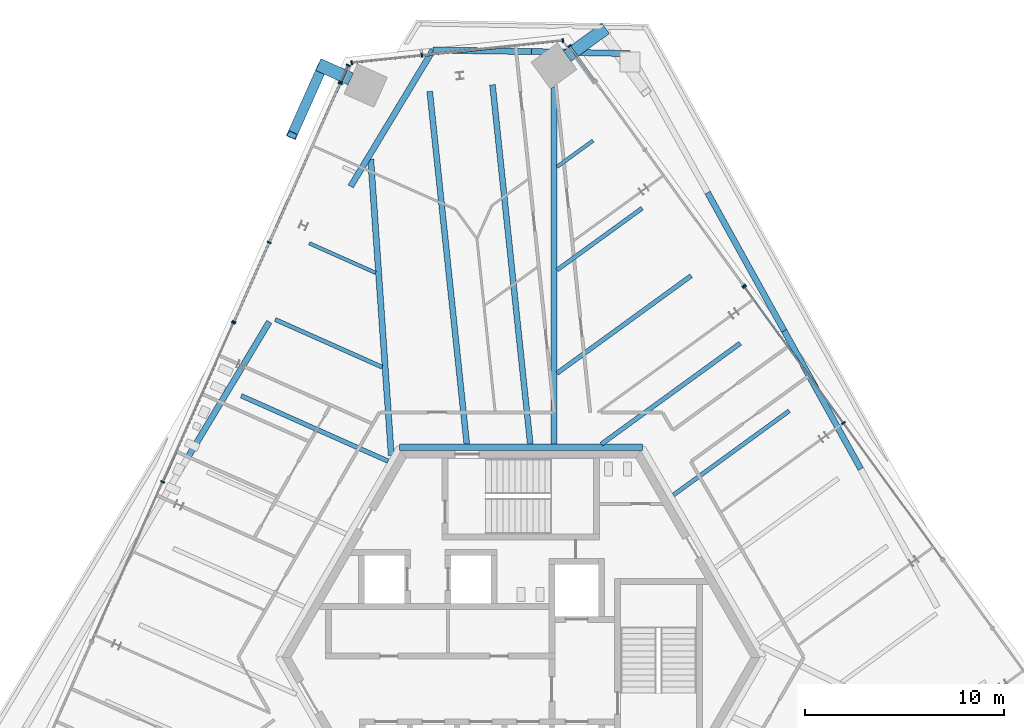
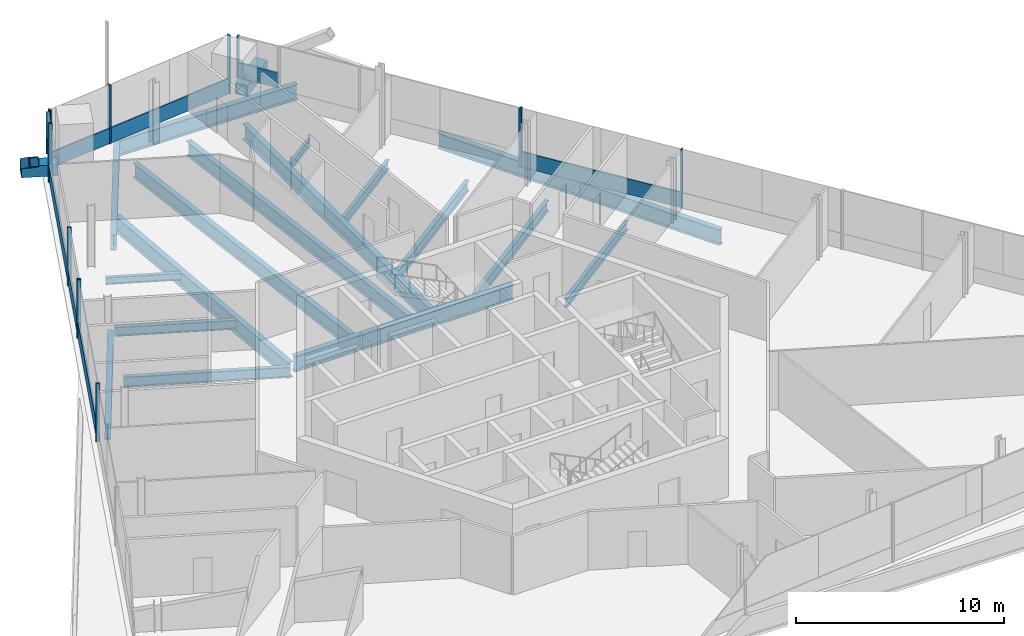
# One storey, part 8 of 21: 25 members, 19 beams, 7 elements without a shape of their own.
"""IFC4 building model written with IfcOpenShell, lengths in metres."""

import ifcopenshell
import ifcopenshell.guid

model = None  # the IFC model being written
_history = None  # IfcOwnerHistory: only IFC2X3 demands one
_inside = {}  # id of a spatial element -> (the spatial element, [elements in it])
_under = {}  # id of a project, library or spatial element -> (it, [spatial elements below it])
_declared = {}  # id of a project -> (the project, [libraries it declares])
_typed = {}  # id of a type object -> (the type object, [elements of that type])
_made_of = {}  # id of a material, layer set ... -> (it, [elements and type objects made of it])


def new_model(schema):
    """Start an empty IFC model of exactly this schema.

    Asked for "IFC4X3", IfcOpenShell would pick the latest addendum, in which some entities
    have other attributes; the version numbers below select the first issue.
    IFC2X3 requires an IfcOwnerHistory on every rooted entity: one is made here for all.
    """
    global model, _history
    if schema == "IFC4X3":
        model = ifcopenshell.file(schema_version=(4, 3, 0, 0))
    else:
        model = ifcopenshell.file(schema=schema)
    _inside.clear()
    _under.clear()
    _declared.clear()
    _typed.clear()
    _made_of.clear()
    _history = None
    if model.schema == "IFC2X3":
        org = make("IfcOrganization", Name="unknown")
        user = make(
            "IfcPersonAndOrganization",
            ThePerson=make("IfcPerson", FamilyName="unknown"),
            TheOrganization=org,
        )
        app = make(
            "IfcApplication",
            ApplicationDeveloper=org,
            Version="unknown",
            ApplicationFullName="unknown",
            ApplicationIdentifier="unknown",
        )
        _history = make(
            "IfcOwnerHistory",
            OwningUser=user,
            OwningApplication=app,
            ChangeAction="ADDED",
            CreationDate=0,
        )
    return model


def make(cls, **values):
    """One entity of the class cls with the attributes given. An attribute that is None is left unset."""
    return model.create_entity(
        cls, **{name: value for name, value in values.items() if value is not None}
    )


def rooted(cls, **values):
    """An entity with a GlobalId (a new one), such as an element, a storey or a relation."""
    return make(cls, GlobalId=ifcopenshell.guid.new(), OwnerHistory=_history, **values)


def si_unit(unit_type, name, prefix=None):
    """IfcSIUnit, for example si_unit("LENGTHUNIT", "METRE", prefix="MILLI")."""
    return make("IfcSIUnit", UnitType=unit_type, Prefix=prefix, Name=name)


def assignment(units):
    """IfcUnitAssignment: the units of a project."""
    return None if units is None else make("IfcUnitAssignment", Units=units)


def point(xyz):
    """IfcCartesianPoint."""
    return None if xyz is None else make("IfcCartesianPoint", Coordinates=xyz)


def direction(xyz):
    """IfcDirection."""
    return None if xyz is None else make("IfcDirection", DirectionRatios=xyz)


def frame(location, z_axis=None, x_axis=None):
    """IfcAxis2Placement3D, a coordinate frame: its origin and axes. An axis left out is left unset."""
    return make(
        "IfcAxis2Placement3D",
        Location=point(location),
        Axis=direction(z_axis),
        RefDirection=direction(x_axis),
    )


def frame_2d(location, x_axis=None):
    """IfcAxis2Placement2D, a coordinate frame in the plane: its origin and x axis."""
    return make(
        "IfcAxis2Placement2D", Location=point(location), RefDirection=direction(x_axis)
    )


def origin():
    """The frame at (0, 0, 0) with its axes left unset."""
    return frame((0.0, 0.0, 0.0))


def origin_2d():
    """The frame at (0, 0) in the plane with its x axis left unset."""
    return frame_2d((0.0, 0.0))


def place(relative_to, where):
    """IfcLocalPlacement: puts the frame where relative to a parent placement (None: the world)."""
    return make(
        "IfcLocalPlacement", PlacementRelTo=relative_to, RelativePlacement=where
    )


def context(
    kind, dimensions, precision=None, world=None, true_north=None, identifier=None
):
    """IfcGeometricRepresentationContext, for example the 3D "Model" context."""
    return make(
        "IfcGeometricRepresentationContext",
        ContextIdentifier=identifier,
        ContextType=kind,
        CoordinateSpaceDimension=dimensions,
        Precision=precision,
        WorldCoordinateSystem=world,
        TrueNorth=true_north,
    )


def subcontext(parent, identifier, kind, view, scale=None):
    """IfcGeometricRepresentationSubContext, for example "Body" below "Model"."""
    return make(
        "IfcGeometricRepresentationSubContext",
        ContextIdentifier=identifier,
        ContextType=kind,
        ParentContext=parent,
        TargetScale=scale,
        TargetView=view,
    )


def project(units=None, contexts=None):
    """IfcProject with its units and contexts."""
    return rooted(
        "IfcProject",
        Name="project",
        RepresentationContexts=contexts,
        UnitsInContext=assignment(units),
    )


def spatial(cls, under=None, at=None, **own):
    """A site, building, storey or space (cls), placed at a placement, below another one or the project."""
    s = rooted(cls, ObjectPlacement=at, **own)
    if under is not None:
        _under.setdefault(under.id(), (under, []))[1].append(s)
    return s


def profile(cls, at=None, kind="AREA", **sizes):
    """A parametric profile (cls). Its sizes go by their IFC names, for example OverallWidth=200.0."""
    return make(cls, ProfileType=kind, Position=at, **sizes)


def rectangle(**sizes):
    """IfcRectangleProfileDef."""
    return profile("IfcRectangleProfileDef", **sizes)


def hollow_rectangle(**sizes):
    """IfcRectangleHollowProfileDef."""
    return profile("IfcRectangleHollowProfileDef", **sizes)


def i_section(**sizes):
    """IfcIShapeProfileDef."""
    return profile("IfcIShapeProfileDef", **sizes)


def extrude(swept, where, along, depth):
    """IfcExtrudedAreaSolid: the profile swept, set in the frame where, extruded along a direction by depth."""
    return make(
        "IfcExtrudedAreaSolid",
        SweptArea=swept,
        Position=where,
        ExtrudedDirection=direction(along),
        Depth=depth,
    )


def shape(context_of_items, identifier, shape_type, items):
    """IfcShapeRepresentation: the items that make up one representation, for example the "Body"."""
    return make(
        "IfcShapeRepresentation",
        ContextOfItems=context_of_items,
        RepresentationIdentifier=identifier,
        RepresentationType=shape_type,
        Items=items,
    )


def source(mapping_origin, context_of_items, identifier, shape_type, items):
    """IfcRepresentationMap: a shape defined once, which mapped items show again and again."""
    return make(
        "IfcRepresentationMap",
        MappingOrigin=mapping_origin,
        MappedRepresentation=shape(context_of_items, identifier, shape_type, items),
    )


def transform(
    local_origin,
    x_axis=None,
    y_axis=None,
    z_axis=None,
    scale=None,
    scale2=None,
    scale3=None,
    uniform=True,
):
    """IfcCartesianTransformationOperator3D, or its non-uniform kind. x_axis, y_axis, z_axis: its Axis1, 2, 3."""
    if uniform:
        return make(
            "IfcCartesianTransformationOperator3D",
            Axis1=direction(x_axis),
            Axis2=direction(y_axis),
            LocalOrigin=point(local_origin),
            Scale=scale,
            Axis3=direction(z_axis),
        )
    return make(
        "IfcCartesianTransformationOperator3DnonUniform",
        Axis1=direction(x_axis),
        Axis2=direction(y_axis),
        LocalOrigin=point(local_origin),
        Scale=scale,
        Axis3=direction(z_axis),
        Scale2=scale2,
        Scale3=scale3,
    )


def mapped(mapping_source, mapping_target):
    """IfcMappedItem: shows the shape of a source again, moved by a transform."""
    return make(
        "IfcMappedItem", MappingSource=mapping_source, MappingTarget=mapping_target
    )


def material(Name=None, Category=None):
    """IfcMaterial."""
    return make("IfcMaterial", Name=Name, Category=Category)


def material_profile(
    of_material, cross_section, Name=None, Category=None, Priority=None
):
    """IfcMaterialProfile: a cross section and its material."""
    return make(
        "IfcMaterialProfile",
        Name=Name,
        Material=of_material,
        Profile=cross_section,
        Priority=Priority,
        Category=Category,
    )


def profile_set(profiles, Name=None, composite=None):
    """IfcMaterialProfileSet."""
    return make(
        "IfcMaterialProfileSet",
        Name=Name,
        MaterialProfiles=profiles,
        CompositeProfile=composite,
    )


def made_of(thing, what):
    """Note that an element or type object is made of a material, layer set ...; save() writes the relation."""
    if what is not None:
        _made_of.setdefault(what.id(), (what, []))[1].append(thing)
    return thing


def type_object(cls, material=None, **own):
    """A type object (cls), such as IfcWallType, which elements share."""
    return made_of(rooted(cls, **own), material)


def element(
    cls,
    number,
    at=None,
    inside=None,
    cuts=None,
    type_object=None,
    material=None,
    context=None,
    identifier="Body",
    shape_type=None,
    held_by="IfcProductDefinitionShape",
    body=None,
    shapes=None,
    **own,
):
    """One element of the class cls, such as IfcWall. Its Tag is "e" and its number.

    at: its placement. inside: the storey or other place that contains it. cuts: it is an
    opening in that element (IfcRelVoidsElement). A single representation is given by context,
    identifier, shape_type and body (its items); several are given by shapes. held_by: the class
    of the entity that holds the representations. save() writes the other relations.
    """
    e = rooted(cls, Tag="e%d" % number, ObjectPlacement=at, **own)
    if body is not None:
        shapes = [shape(context, identifier, shape_type, body)]
    if shapes is not None:
        e.Representation = make(held_by, Representations=shapes)
    if inside is not None:
        _inside.setdefault(inside.id(), (inside, []))[1].append(e)
    if cuts is not None:
        rooted(
            "IfcRelVoidsElement", RelatingBuildingElement=cuts, RelatedOpeningElement=e
        )
    if type_object is not None:
        _typed.setdefault(type_object.id(), (type_object, []))[1].append(e)
    return made_of(e, material)


def aggregate(whole, parts):
    """IfcRelAggregates: a whole, such as a stair, and the parts it consists of."""
    return rooted("IfcRelAggregates", RelatingObject=whole, RelatedObjects=parts)


def save(model, path):
    """Write the relations noted so far, then the file.

    IfcRelAggregates (storeys below a building ...), IfcRelContainedInSpatialStructure (elements
    in a storey), IfcRelDefinesByType, IfcRelAssociatesMaterial and IfcRelDeclares: one each for
    every whole, place, type object, material and project.
    """
    for whole, parts in _under.values():
        aggregate(whole, parts)
    for where, things in _inside.values():
        rooted(
            "IfcRelContainedInSpatialStructure",
            RelatedElements=things,
            RelatingStructure=where,
        )
    for kind, things in _typed.values():
        rooted("IfcRelDefinesByType", RelatedObjects=things, RelatingType=kind)
    for what, things in _made_of.values():
        rooted("IfcRelAssociatesMaterial", RelatedObjects=things, RelatingMaterial=what)
    for by, libraries in _declared.values():
        rooted("IfcRelDeclares", RelatingContext=by, RelatedDefinitions=libraries)
    model.write(path)


model = new_model("IFC4")

# Units and contexts
model_context = context("Model", 3, precision=1e-05, world=origin(), true_north=direction((0.0, 1.0)))
body_context = subcontext(model_context, "Body", "Model", "MODEL_VIEW")
ifc_project = project(units=[si_unit("LENGTHUNIT", "METRE"), si_unit("AREAUNIT", "SQUARE_METRE"), si_unit("VOLUMEUNIT", "CUBIC_METRE"), si_unit("PLANEANGLEUNIT", "RADIAN"), si_unit("MASSUNIT", "GRAM", prefix="KILO")], contexts=[model_context])

# Site, building, storey
site_placement = place(None, origin())
site = spatial("IfcSite", under=ifc_project, at=site_placement, CompositionType="ELEMENT")
building_placement = place(site_placement, origin())
building = spatial("IfcBuilding", under=site, at=building_placement, Name="Triune Harvest Tower", CompositionType="ELEMENT")
storey_placement = place(building_placement, frame((0.0, 0.0, 219.699951171875)))
storey = spatial("IfcBuildingStorey", under=building, at=storey_placement, Name="L57", CompositionType="ELEMENT", Elevation=219.699951171875)

# Beams
ifc_material_1 = material(Name="Steel ASTM A992 Gr 50", Category="steel")
ifc_material_profile_1 = material_profile(ifc_material_1, i_section(OverallWidth=0.3046875, OverallDepth=0.914306640625, WebThickness=0.0166015625, FlangeThickness=0.02587890625, at=origin_2d()), Name="W36x160")
ifc_profile_set_1 = profile_set([ifc_material_profile_1], Name="Steel ASTM A992 Gr 50")
beam_type_1 = type_object("IfcBeamType", Name="HG-3 Hip girder W36x160", PredefinedType="BEAM", material=ifc_profile_set_1)
beam_1_placement = place(storey_placement, frame((-7.537841796875, 25.00390625, -0.6171875), z_axis=(0.069122846378, -0.997608155594, 0.0), x_axis=(0.997608155594, 0.069122846378, 0.0)))
element("IfcBeam", 1, at=beam_1_placement, inside=storey, type_object=beam_type_1, Name="beam/L57/HG4", PredefinedType="BEAM", context=body_context, shape_type="SweptSolid", body=[
    extrude(i_section(OverallWidth=0.3046875, OverallDepth=0.914306640625, WebThickness=0.0166015625, FlangeThickness=0.02587890625, at=origin_2d()), origin(), (0.0, 0.0, 1.0), 14.91552734375),
])
ifc_material_2 = material(Name="Steel ASTM A992 Gr 50", Category="steel")
ifc_material_profile_2 = material_profile(ifc_material_2, i_section(OverallWidth=0.2099609375, OverallDepth=0.535888671875, WebThickness=0.010986328125, FlangeThickness=0.017333984375, at=origin_2d()), Name="W21x68")
ifc_profile_set_2 = profile_set([ifc_material_profile_2], Name="Steel ASTM A992 Gr 50")
beam_type_2 = type_object("IfcBeamType", Name="JT-2 Floor joist W21x68", PredefinedType="JOIST", material=ifc_profile_set_2)
beam_2_placement = place(storey_placement, frame((6.076904296875, 22.53662109375, -0.427978515625), z_axis=(-0.809046289155, -0.587744929374, 0.0), x_axis=(0.587744929374, -0.809046289155, 0.0)))
element("IfcBeam", 2, at=beam_2_placement, inside=storey, type_object=beam_type_2, Name="beam/L57/JT9", PredefinedType="JOIST", context=body_context, shape_type="SweptSolid", body=[
    extrude(i_section(OverallWidth=0.2099609375, OverallDepth=0.535888671875, WebThickness=0.010986328125, FlangeThickness=0.017333984375, at=origin_2d()), origin(), (0.0, 0.0, 1.0), 5.2734375),
])
ifc_material_3 = material(Name="Steel ASTM A992 Gr 50", Category="steel")
ifc_material_profile_3 = material_profile(ifc_material_3, i_section(OverallWidth=0.3046875, OverallDepth=0.914306640625, WebThickness=0.0166015625, FlangeThickness=0.02587890625, at=origin_2d()), Name="W36x160")
ifc_profile_set_3 = profile_set([ifc_material_profile_3], Name="Steel ASTM A992 Gr 50")
beam_type_3 = type_object("IfcBeamType", Name="SB-1 Spandrel beam W36x160", PredefinedType="SPANDREL", material=ifc_profile_set_3)
beam_3_placement = place(storey_placement, frame((17.05078125, 9.451416015625, -0.6171875), z_axis=(-0.484826855234, 0.874610153408, 0.0), x_axis=(-0.874610153408, -0.484826855234, 0.0)))
element("IfcBeam", 3, at=beam_3_placement, inside=storey, type_object=beam_type_3, Name="beam/L57/WB3", PredefinedType="SPANDREL", context=body_context, shape_type="SweptSolid", body=[
    extrude(i_section(OverallWidth=0.3046875, OverallDepth=0.914306640625, WebThickness=0.0166015625, FlangeThickness=0.02587890625, at=origin_2d()), origin(), (0.0, 0.0, 1.0), 7.927001953125),
])
beam_4_placement = place(storey_placement, frame((-12.627685546875, 16.835693359375, -0.6171875), z_axis=(-0.5150210223, -0.857177546713, 0.0), x_axis=(0.857177546713, -0.5150210223, 0.0)))
element("IfcBeam", 4, at=beam_4_placement, inside=storey, type_object=beam_type_3, Name="beam/L57/WB9", PredefinedType="SPANDREL", context=body_context, shape_type="SweptSolid", body=[
    extrude(i_section(OverallWidth=0.3046875, OverallDepth=0.914306640625, WebThickness=0.0166015625, FlangeThickness=0.02587890625, at=origin_2d()), origin(), (0.0, 0.0, 1.0), 7.927490234375),
])
ifc_material_4 = material(Name="Steel ASTM A992 Gr 50", Category="steel")
ifc_material_profile_4 = material_profile(ifc_material_4, i_section(OverallWidth=0.3046875, OverallDepth=0.914306640625, WebThickness=0.0166015625, FlangeThickness=0.02587890625, at=origin_2d()), Name="W36x160")
ifc_profile_set_4 = profile_set([ifc_material_profile_4], Name="Steel ASTM A992 Gr 50")
beam_type_4 = type_object("IfcBeamType", Name="CG-1 Core ring girder W36x160", PredefinedType="BEAM", material=ifc_profile_set_4)
shared_shape_1 = source(origin(), body_context, "Body", "SweptSolid", [
    extrude(i_section(OverallWidth=0.3046875, OverallDepth=0.914306640625, WebThickness=0.0166015625, FlangeThickness=0.02587890625, at=origin_2d()), origin(), (0.0, 0.0, 1.0), 12.17578125),
])
beam_5_placement = place(storey_placement, frame((6.087890625, 10.544677734375, -0.6171875), z_axis=(-1.0, 0.0, 0.0), x_axis=(0.0, -1.0, 0.0)))
element("IfcBeam", 5, at=beam_5_placement, inside=storey, type_object=beam_type_4, Name="beam/L57/CG2", PredefinedType="BEAM", context=body_context, shape_type="MappedRepresentation", body=[
    mapped(shared_shape_1, transform((0.0, 0.0, 0.0), scale=1.0)),
])
shared_shape_2 = source(origin(), body_context, "Body", "SweptSolid", [
    extrude(i_section(OverallWidth=0.3046875, OverallDepth=0.914306640625, WebThickness=0.0166015625, FlangeThickness=0.02587890625, at=origin_2d()), origin(), (0.0, 0.0, 1.0), 7.92724609375),
])
beam_6_placement = place(storey_placement, frame((13.20751953125, 16.384521484375, -0.6171875), z_axis=(-0.48481379599, 0.874617392474, 0.0), x_axis=(-0.874617392474, -0.48481379599, 0.0)))
element("IfcBeam", 6, at=beam_6_placement, inside=storey, type_object=beam_type_3, Name="beam/L57/WB4", PredefinedType="SPANDREL", context=body_context, shape_type="MappedRepresentation", body=[
    mapped(shared_shape_2, transform((0.0, 0.0, 0.0), scale=1.0)),
])
shared_shape_3 = source(origin(), body_context, "Body", "SweptSolid", [
    extrude(i_section(OverallWidth=0.3046875, OverallDepth=0.914306640625, WebThickness=0.0166015625, FlangeThickness=0.02587890625, at=origin_2d()), origin(), (0.0, 0.0, 1.0), 7.9873046875),
])
beam_7_placement = place(storey_placement, frame((-4.417236328125, 30.46875, -0.6171875), z_axis=(-0.51677738247, -0.85611981461, 0.0), x_axis=(0.85611981461, -0.51677738247, 0.0)))
element("IfcBeam", 7, at=beam_7_placement, inside=storey, type_object=beam_type_3, Name="beam/L57/WB8", PredefinedType="SPANDREL", context=body_context, shape_type="MappedRepresentation", body=[
    mapped(shared_shape_3, transform((0.0, 0.0, 0.0), scale=1.0)),
])
shared_shape_4 = source(origin(), body_context, "Body", "SweptSolid", [
    extrude(i_section(OverallWidth=0.3046875, OverallDepth=0.914306640625, WebThickness=0.0166015625, FlangeThickness=0.02587890625, at=origin_2d()), origin(), (0.0, 0.0, 1.0), 4.9482421875),
])
for number, where, z_axis, x_axis, name in (
    (8, (5.477783203125, 30.2958984375, -0.6171875), (-0.999785277115, 0.020721960935, 0.0), (-0.020721960935, -0.999785277115, 0.0), "beam/L57/WB6"),
    (9, (0.530517578125, 30.3984375, -0.6171875), (-0.99989903912, 0.014209559028, 0.0), (-0.014209559028, -0.99989903912, 0.0), "beam/L57/WB7"),
):
    element("IfcBeam", number, at=place(storey_placement, frame(where, z_axis=z_axis, x_axis=x_axis)), inside=storey, type_object=beam_type_3, Name=name, PredefinedType="SPANDREL", context=body_context, shape_type="MappedRepresentation", body=[
        mapped(shared_shape_4, transform((0.0, 0.0, 0.0), scale=1.0)),
    ])
shared_shape_5 = source(origin(), body_context, "Body", "SweptSolid", [
    extrude(i_section(OverallWidth=0.3046875, OverallDepth=0.914306640625, WebThickness=0.0166015625, FlangeThickness=0.02587890625, at=origin_2d()), origin(), (0.0, 0.0, 1.0), 17.92138671875),
])
beam_8_placement = place(storey_placement, frame((1.658203125, 28.618408203125, -0.6171875), z_axis=(0.0, -1.0, 0.0), x_axis=(1.0, 0.0, 0.0)))
element("IfcBeam", 10, at=beam_8_placement, inside=storey, type_object=beam_type_1, Name="beam/L57/HG3", PredefinedType="BEAM", context=body_context, shape_type="MappedRepresentation", body=[
    mapped(shared_shape_5, transform((0.0, 0.0, 0.0), scale=1.0)),
])
ifc_material_5 = material(Name="Steel ASTM A992 Gr 50", Category="steel")
ifc_material_profile_5 = material_profile(ifc_material_5, i_section(OverallWidth=0.180908203125, OverallDepth=0.41650390625, WebThickness=0.010986328125, FlangeThickness=0.01806640625, at=origin_2d()), Name="W16x57")
ifc_profile_set_5 = profile_set([ifc_material_profile_5], Name="Steel ASTM A992 Gr 50")
beam_type_5 = type_object("IfcBeamType", Name="JT-1 Floor joist W16x57", PredefinedType="JOIST", material=ifc_profile_set_5)
shared_shape_6 = source(origin(), body_context, "Body", "SweptSolid", [
    extrude(i_section(OverallWidth=0.180908203125, OverallDepth=0.41650390625, WebThickness=0.010986328125, FlangeThickness=0.01806640625, at=origin_2d()), origin(), (0.0, 0.0, 1.0), 3.650146484375),
])
beam_9_placement = place(storey_placement, frame((-10.629638671875, 20.78076171875, -0.3681640625), z_axis=(0.913543802, -0.40674036169, 0.0), x_axis=(0.40674036169, 0.913543802, 0.0)))
element("IfcBeam", 11, at=beam_9_placement, inside=storey, type_object=beam_type_5, Name="beam/L57/JT14", PredefinedType="JOIST", context=body_context, shape_type="MappedRepresentation", body=[
    mapped(shared_shape_6, transform((0.0, 0.0, 0.0), scale=1.0)),
])
shared_shape_7 = source(origin(), body_context, "Body", "SweptSolid", [
    extrude(i_section(OverallWidth=0.2099609375, OverallDepth=0.535888671875, WebThickness=0.010986328125, FlangeThickness=0.017333984375, at=origin_2d()), origin(), (0.0, 0.0, 1.0), 5.873779296875),
])
beam_10_placement = place(storey_placement, frame((-12.333251953125, 16.9541015625, -0.427978515625), z_axis=(0.913555979203, -0.406713010442, 0.0), x_axis=(0.406713010442, 0.913555979203, 0.0)))
element("IfcBeam", 12, at=beam_10_placement, inside=storey, type_object=beam_type_2, Name="beam/L57/JT15", PredefinedType="JOIST", context=body_context, shape_type="MappedRepresentation", body=[
    mapped(shared_shape_7, transform((0.0, 0.0, 0.0), scale=1.0)),
])
ifc_material_6 = material(Name="Steel ASTM A992 Gr 50", Category="steel")
ifc_material_profile_6 = material_profile(ifc_material_6, i_section(OverallWidth=0.22900390625, OverallDepth=0.612060546875, WebThickness=0.011962890625, FlangeThickness=0.01953125, at=origin_2d()), Name="W24x84")
ifc_profile_set_6 = profile_set([ifc_material_profile_6], Name="Steel ASTM A992 Gr 50")
beam_type_6 = type_object("IfcBeamType", Name="JT-3 Floor joist W24x84", PredefinedType="JOIST", material=ifc_profile_set_6)
shared_shape_8 = source(origin(), body_context, "Body", "SweptSolid", [
    extrude(i_section(OverallWidth=0.22900390625, OverallDepth=0.612060546875, WebThickness=0.011962890625, FlangeThickness=0.01953125, at=origin_2d()), origin(), (0.0, 0.0, 1.0), 8.0673828125),
])
beam_11_placement = place(storey_placement, frame((-14.037109375, 13.12744140625, -0.466064453125), z_axis=(0.913546788169, -0.406733654652, 0.0), x_axis=(0.406733654652, 0.913546788169, 0.0)))
element("IfcBeam", 13, at=beam_11_placement, inside=storey, type_object=beam_type_6, Name="beam/L57/JT16", PredefinedType="JOIST", context=body_context, shape_type="MappedRepresentation", body=[
    mapped(shared_shape_8, transform((0.0, 0.0, 0.0), scale=1.0)),
])
shared_shape_9 = source(origin(), body_context, "Body", "SweptSolid", [
    extrude(i_section(OverallWidth=0.2099609375, OverallDepth=0.535888671875, WebThickness=0.010986328125, FlangeThickness=0.017333984375, at=origin_2d()), origin(), (0.0, 0.0, 1.0), 7.186767578125),
])
beam_12_placement = place(storey_placement, frame((13.463134765625, 12.370361328125, -0.427978515625), z_axis=(-0.809010699188, -0.587793916777, 0.0), x_axis=(0.587793916777, -0.809010699188, 0.0)))
element("IfcBeam", 14, at=beam_12_placement, inside=storey, type_object=beam_type_2, Name="beam/L57/JT6", PredefinedType="JOIST", context=body_context, shape_type="MappedRepresentation", body=[
    mapped(shared_shape_9, transform((0.0, 0.0, 0.0), scale=1.0)),
])
shared_shape_10 = source(origin(), body_context, "Body", "SweptSolid", [
    extrude(i_section(OverallWidth=0.22900390625, OverallDepth=0.612060546875, WebThickness=0.011962890625, FlangeThickness=0.01953125, at=origin_2d()), origin(), (0.0, 0.0, 1.0), 8.612060546875),
])
beam_13_placement = place(storey_placement, frame((11.0009765625, 15.759033203125, -0.466064453125), z_axis=(-0.809017946974, -0.587783941151, 0.0), x_axis=(0.587783941151, -0.809017946974, 0.0)))
element("IfcBeam", 15, at=beam_13_placement, inside=storey, type_object=beam_type_6, Name="beam/L57/JT7", PredefinedType="JOIST", context=body_context, shape_type="MappedRepresentation", body=[
    mapped(shared_shape_10, transform((0.0, 0.0, 0.0), scale=1.0)),
])
shared_shape_11 = source(origin(), body_context, "Body", "SweptSolid", [
    extrude(i_section(OverallWidth=0.22900390625, OverallDepth=0.612060546875, WebThickness=0.011962890625, FlangeThickness=0.01953125, at=origin_2d()), origin(), (0.0, 0.0, 1.0), 8.316650390625),
])
beam_14_placement = place(storey_placement, frame((8.538818359375, 19.14794921875, -0.466064453125), z_axis=(-0.809014000467, -0.587789373031, 0.0), x_axis=(0.587789373031, -0.809014000467, 0.0)))
element("IfcBeam", 16, at=beam_14_placement, inside=storey, type_object=beam_type_6, Name="beam/L57/JT8", PredefinedType="JOIST", context=body_context, shape_type="MappedRepresentation", body=[
    mapped(shared_shape_11, transform((0.0, 0.0, 0.0), scale=1.0)),
])
shared_shape_12 = source(origin(), body_context, "Body", "SweptSolid", [
    extrude(i_section(OverallWidth=0.180908203125, OverallDepth=0.41650390625, WebThickness=0.010986328125, FlangeThickness=0.01806640625, at=origin_2d()), origin(), (0.0, 0.0, 1.0), 2.22998046875),
])
beam_15_placement = place(storey_placement, frame((3.61474609375, 25.925537109375, -0.3681640625), z_axis=(-0.809024765736, -0.587774555783, 0.0), x_axis=(0.587774555783, -0.809024765736, 0.0)))
element("IfcBeam", 17, at=beam_15_placement, inside=storey, type_object=beam_type_5, Name="beam/L57/JT10", PredefinedType="JOIST", context=body_context, shape_type="MappedRepresentation", body=[
    mapped(shared_shape_12, transform((0.0, 0.0, 0.0), scale=1.0)),
])
ifc_material_7 = material(Name="Steel ASTM A992 Gr 50", Category="steel")
ifc_material_profile_7 = material_profile(ifc_material_7, i_section(OverallWidth=0.2919921875, OverallDepth=0.8408203125, WebThickness=0.0146484375, FlangeThickness=0.021728515625, at=origin_2d()), Name="W33x130")
ifc_profile_set_7 = profile_set([ifc_material_profile_7], Name="Steel ASTM A992 Gr 50")
beam_type_7 = type_object("IfcBeamType", Name="JT-6 Floor joist W33x130", PredefinedType="JOIST", material=ifc_profile_set_7)
shared_shape_13 = source(origin(), body_context, "Body", "SweptSolid", [
    extrude(i_section(OverallWidth=0.2919921875, OverallDepth=0.8408203125, WebThickness=0.0146484375, FlangeThickness=0.021728515625, at=origin_2d()), origin(), (0.0, 0.0, 1.0), 18.13134765625),
])
beam_16_placement = place(storey_placement, frame((-1.427001953125, 28.72900390625, -0.580322265625), z_axis=(0.104543196791, -0.994520346702, 0.0), x_axis=(0.994520346702, 0.104543196791, 0.0)))
element("IfcBeam", 18, at=beam_16_placement, inside=storey, type_object=beam_type_7, Name="beam/L57/JT11", PredefinedType="JOIST", context=body_context, shape_type="MappedRepresentation", body=[
    mapped(shared_shape_13, transform((0.0, 0.0, 0.0), scale=1.0)),
])
shared_shape_14 = source(origin(), body_context, "Body", "SweptSolid", [
    extrude(i_section(OverallWidth=0.2919921875, OverallDepth=0.8408203125, WebThickness=0.0146484375, FlangeThickness=0.021728515625, at=origin_2d()), origin(), (0.0, 0.0, 1.0), 17.79833984375),
])
beam_17_placement = place(storey_placement, frame((-4.577392578125, 28.39794921875, -0.580322265625), z_axis=(0.104536978383, -0.994521000357, 0.0), x_axis=(0.994521000357, 0.104536978383, 0.0)))
element("IfcBeam", 19, at=beam_17_placement, inside=storey, type_object=beam_type_7, Name="beam/L57/JT12", PredefinedType="JOIST", context=body_context, shape_type="MappedRepresentation", body=[
    mapped(shared_shape_14, transform((0.0, 0.0, 0.0), scale=1.0)),
])

# Members
ifc_material_8 = material(Name="Steel ASTM A572 Gr 50", Category="steel")
ifc_material_profile_8 = material_profile(ifc_material_8, hollow_rectangle(XDim=0.64990234375, YDim=0.64990234375, WallThickness=0.070068359375, at=origin_2d()), Name="Box 650x650x70")
ifc_profile_set_8 = profile_set([ifc_material_profile_8], Name="Steel ASTM A572 Gr 50")
member_type_1 = type_object("IfcMemberType", Name="BS-1 Brace stub Box 650x650x70", PredefinedType="STRUT", material=ifc_profile_set_8)
shared_shape_15 = source(origin(), body_context, "Body", "SweptSolid", [
    extrude(hollow_rectangle(XDim=0.64990234375, YDim=0.64990234375, WallThickness=0.070068359375, at=origin_2d()), origin(), (0.0, 0.0, 1.0), 1.775390625),
])
member_1_placement = place(storey_placement, frame((-8.546875, 29.02392578125, 0.60009765625), z_axis=(-0.913527784989, 0.406776334186, 0.0), x_axis=(-0.406776334186, -0.913527784989, 0.0)))
element("IfcMember", 20, at=member_1_placement, inside=storey, type_object=member_type_1, Name="brace/B6-F3/stub1", PredefinedType="STRUT", context=body_context, shape_type="MappedRepresentation", body=[
    mapped(shared_shape_15, transform((0.0, 0.0, 0.0), scale=1.0)),
])
ifc_material_9 = material(Name="Steel ASTM A572 Gr 50", Category="steel")
ifc_material_profile_9 = material_profile(ifc_material_9, hollow_rectangle(XDim=0.5, YDim=0.5, WallThickness=0.030029296875, at=origin_2d()), Name="Box 500x500x30")
ifc_profile_set_9 = profile_set([ifc_material_profile_9], Name="Steel ASTM A572 Gr 50")
member_type_2 = type_object("IfcMemberType", Name="BR-3 Brace Box 500x500x30", PredefinedType="BRACE", material=ifc_profile_set_9)
shared_shape_16 = source(origin(), body_context, "Body", "SweptSolid", [
    extrude(hollow_rectangle(XDim=0.5, YDim=0.5, WallThickness=0.030029296875, at=origin_2d()), origin(), (0.0, 0.0, 1.0), 4.645263671875),
])
member_2_placement = place(storey_placement, frame((-9.9541015625, 29.650390625, 0.89013671875), z_axis=(-0.330378671536, -0.74195922782, 0.583392181682), x_axis=(0.913528465523, -0.406774805856, 0.0)))
element("IfcMember", 21, at=member_2_placement, inside=storey, type_object=member_type_2, Name="brace/B6-F3/d1/1", PredefinedType="BRACE", context=body_context, shape_type="MappedRepresentation", body=[
    mapped(shared_shape_16, transform((0.0, 0.0, 0.0), scale=1.0)),
])
shared_shape_17 = source(origin(), body_context, "Body", "SweptSolid", [
    extrude(hollow_rectangle(XDim=0.64990234375, YDim=0.64990234375, WallThickness=0.070068359375, at=origin_2d()), origin(), (0.0, 0.0, 1.0), 2.375732421875),
])
member_3_placement = place(storey_placement, frame((2.32568359375, 30.16650390625, 0.60009765625), z_axis=(0.808984875639, 0.5878294574, 0.0), x_axis=(-0.5878294574, 0.808984875639, 0.0)))
element("IfcMember", 22, at=member_3_placement, inside=storey, type_object=member_type_1, Name="brace/B6-F1/stub3", PredefinedType="STRUT", context=body_context, shape_type="MappedRepresentation", body=[
    mapped(shared_shape_17, transform((0.0, 0.0, 0.0), scale=1.0)),
])

# Curtain wall, member
ifc_material_10 = material(Name="Aluminium bronze anodised", Category="aluminium")
curtain_wall_type_1 = type_object("IfcCurtainWallType", Name="CW-7 Tower stick curtain wall with insulated spandrel infill", PredefinedType="NOTDEFINED", material=ifc_material_10)
curtain_wall_1_placement = place(storey_placement, origin())
curtain_wall_1 = element("IfcCurtainWall", 23, at=curtain_wall_1_placement, inside=storey, type_object=curtain_wall_type_1, Name="CW-7 B6-F1 L57 run 201")
ifc_material_11 = material(Name="Aluminium bronze anodised", Category="aluminium")
ifc_material_profile_10 = material_profile(ifc_material_11, rectangle(XDim=0.199951171875, YDim=0.074951171875, at=origin_2d()), Name="MU-1 mullion 75 x 200")
ifc_profile_set_10 = profile_set([ifc_material_profile_10], Name="Aluminium bronze anodised")
member_type_3 = type_object("IfcMemberType", Name="MU-1 mullion 75 x 200", PredefinedType="MULLION", material=ifc_profile_set_10)
shared_shape_18 = source(origin(), body_context, "Body", "SweptSolid", [
    extrude(rectangle(XDim=0.199951171875, YDim=0.074951171875, at=origin_2d()), origin(), (0.0, 0.0, 1.0), 2.454833984375),
])
member_4_placement = place(storey_placement, frame((2.437255859375, 30.67724609375, 0.985107421875), z_axis=(0.0, 0.0, 1.0), x_axis=(-0.809038277721, -0.587755957164, 0.0)))
member_4 = element("IfcMember", 24, at=member_4_placement, type_object=member_type_3, Name="CW-7 mullion B6-F1 201.2", PredefinedType="MULLION", context=body_context, shape_type="MappedRepresentation", body=[
    mapped(shared_shape_18, transform((0.0, 0.0, 0.0), scale=1.0)),
])

# Curtain wall, members
ifc_material_12 = material(Name="Aluminium bronze anodised", Category="aluminium")
curtain_wall_type_2 = type_object("IfcCurtainWallType", Name="CW-1 Tower stick curtain wall", PredefinedType="NOTDEFINED", material=ifc_material_12)
curtain_wall_2_placement = place(storey_placement, origin())
curtain_wall_2 = element("IfcCurtainWall", 25, at=curtain_wall_2_placement, inside=storey, type_object=curtain_wall_type_2, Name="CW-1 B6-F3 L57 run 1")
member_5_placement = place(storey_placement, frame((-8.669921875, 29.707275390625, 0.985107421875), z_axis=(0.0, 0.0, 1.0), x_axis=(0.913554866634, -0.406715509478, 0.0)))
member_5 = element("IfcMember", 26, at=member_5_placement, type_object=member_type_3, Name="CW-1 mullion B6-F3 1.1", PredefinedType="MULLION", context=body_context, shape_type="MappedRepresentation", body=[
    mapped(shared_shape_18, transform((0.0, 0.0, 0.0), scale=1.0)),
])
member_6_placement = place(storey_placement, frame((-9.044921875, 28.865234375, 0.985107421875), z_axis=(0.0, 0.0, 1.0), x_axis=(0.913554866634, -0.406715509478, 0.0)))
member_6 = element("IfcMember", 27, at=member_6_placement, type_object=member_type_3, Name="CW-1 mullion B6-F3 1.2", PredefinedType="MULLION", context=body_context, shape_type="MappedRepresentation", body=[
    mapped(shared_shape_18, transform((0.0, 0.0, 0.0), scale=1.0)),
])

curtain_wall_3_placement = place(storey_placement, origin())
curtain_wall_3 = element("IfcCurtainWall", 28, at=curtain_wall_3_placement, inside=storey, type_object=curtain_wall_type_2, Name="CW-1 B6-F1 L57 run 1101")
shared_shape_19 = source(origin(), body_context, "Body", "SweptSolid", [
    extrude(rectangle(XDim=0.199951171875, YDim=0.074951171875, at=origin_2d()), origin(), (0.0, 0.0, 1.0), 3.43994140625),
])
member_7_placement = place(storey_placement, frame((16.18310546875, 11.7578125, 0.0), z_axis=(0.0, 0.0, 1.0), x_axis=(-0.809020903027, -0.587779872457, 0.0)))
member_7 = element("IfcMember", 29, at=member_7_placement, type_object=member_type_3, Name="CW-1 mullion B6-F1 1101.3", PredefinedType="MULLION", context=body_context, shape_type="MappedRepresentation", body=[
    mapped(shared_shape_19, transform((0.0, 0.0, 0.0), scale=1.0)),
])
member_8_placement = place(storey_placement, frame((11.22265625, 18.585205078125, 0.0), z_axis=(0.0, 0.0, 1.0), x_axis=(-0.809020903027, -0.587779872457, 0.0)))
member_8 = element("IfcMember", 30, at=member_8_placement, type_object=member_type_3, Name="CW-1 mullion B6-F1 1101.5", PredefinedType="MULLION", context=body_context, shape_type="MappedRepresentation", body=[
    mapped(shared_shape_19, transform((0.0, 0.0, 0.0), scale=1.0)),
])

# Curtain wall, member
curtain_wall_4_placement = place(storey_placement, origin())
curtain_wall_4 = element("IfcCurtainWall", 31, at=curtain_wall_4_placement, inside=storey, type_object=curtain_wall_type_1, Name="CW-7 B6-F1 L57 run 2101")
member_9_placement = place(storey_placement, frame((11.1787109375, 18.64599609375, 0.0), z_axis=(0.0, 0.0, 1.0), x_axis=(-0.809014190321, -0.587789111722, 0.0)))
member_9 = element("IfcMember", 32, at=member_9_placement, type_object=member_type_3, Name="CW-7 mullion B6-F1 2101.1", PredefinedType="MULLION", context=body_context, shape_type="MappedRepresentation", body=[
    mapped(shared_shape_19, transform((0.0, 0.0, 0.0), scale=1.0)),
])
aggregate(curtain_wall_4, [member_9])

# Curtain wall, members
curtain_wall_5_placement = place(storey_placement, origin())
curtain_wall_5 = element("IfcCurtainWall", 33, at=curtain_wall_5_placement, inside=storey, type_object=curtain_wall_type_2, Name="CW-1 B6-F2 L57 run 1")
member_10_placement = place(storey_placement, frame((2.102294921875, 30.95068359375, 0.0), z_axis=(0.0, 0.0, 1.0), x_axis=(0.104529672907, -0.994521768229, 0.0)))
member_10 = element("IfcMember", 34, at=member_10_placement, type_object=member_type_3, Name="CW-1 mullion B6-F2 1.1", PredefinedType="MULLION", context=body_context, shape_type="MappedRepresentation", body=[
    mapped(shared_shape_19, transform((0.0, 0.0, 0.0), scale=1.0)),
])
member_11_placement = place(storey_placement, frame((-4.972412109375, 30.20703125, 0.0), z_axis=(0.0, 0.0, 1.0), x_axis=(0.104529672907, -0.994521768229, 0.0)))
member_11 = element("IfcMember", 35, at=member_11_placement, type_object=member_type_3, Name="CW-1 mullion B6-F2 1.3", PredefinedType="MULLION", context=body_context, shape_type="MappedRepresentation", body=[
    mapped(shared_shape_19, transform((0.0, 0.0, 0.0), scale=1.0)),
])
member_12_placement = place(storey_placement, frame((-8.4912109375, 29.837158203125, 0.0), z_axis=(0.0, 0.0, 1.0), x_axis=(0.104529672907, -0.994521768229, 0.0)))
member_12 = element("IfcMember", 36, at=member_12_placement, type_object=member_type_3, Name="CW-1 mullion B6-F2 1.4", PredefinedType="MULLION", context=body_context, shape_type="MappedRepresentation", body=[
    mapped(shared_shape_19, transform((0.0, 0.0, 0.0), scale=1.0)),
])

curtain_wall_6_placement = place(storey_placement, origin())
curtain_wall_6 = element("IfcCurtainWall", 37, at=curtain_wall_6_placement, inside=storey, type_object=curtain_wall_type_1, Name="CW-7 B6-F3 L57 run 101")
member_13_placement = place(storey_placement, frame((-9.075439453125, 28.796630859375, 0.0), z_axis=(0.0, 0.0, 1.0), x_axis=(0.913542673726, -0.406742895797, 0.0)))
member_13 = element("IfcMember", 38, at=member_13_placement, type_object=member_type_3, Name="CW-7 mullion B6-F3 101.1", PredefinedType="MULLION", context=body_context, shape_type="MappedRepresentation", body=[
    mapped(shared_shape_19, transform((0.0, 0.0, 0.0), scale=1.0)),
])
member_14_placement = place(storey_placement, frame((-12.626953125, 20.820068359375, 0.0), z_axis=(0.0, 0.0, 1.0), x_axis=(0.913542673726, -0.406742895797, 0.0)))
member_14 = element("IfcMember", 39, at=member_14_placement, type_object=member_type_3, Name="CW-7 mullion B6-F3 101.3", PredefinedType="MULLION", context=body_context, shape_type="MappedRepresentation", body=[
    mapped(shared_shape_19, transform((0.0, 0.0, 0.0), scale=1.0)),
])
member_15_placement = place(storey_placement, frame((-14.39501953125, 16.848876953125, 0.0), z_axis=(0.0, 0.0, 1.0), x_axis=(0.913542673726, -0.406742895797, 0.0)))
member_15 = element("IfcMember", 40, at=member_15_placement, type_object=member_type_3, Name="CW-7 mullion B6-F3 101.4", PredefinedType="MULLION", context=body_context, shape_type="MappedRepresentation", body=[
    mapped(shared_shape_19, transform((0.0, 0.0, 0.0), scale=1.0)),
])

curtain_wall_7_placement = place(storey_placement, origin())
curtain_wall_7 = element("IfcCurtainWall", 41, at=curtain_wall_7_placement, inside=storey, type_object=curtain_wall_type_2, Name="CW-1 B6-F3 L57 run 1101")
member_16_placement = place(storey_placement, frame((-14.425537109375, 16.780517578125, 0.0), z_axis=(0.0, 0.0, 1.0), x_axis=(0.913546833715, -0.406733552352, 0.0)))
member_16 = element("IfcMember", 42, at=member_16_placement, type_object=member_type_3, Name="CW-1 mullion B6-F3 1101.1", PredefinedType="MULLION", context=body_context, shape_type="MappedRepresentation", body=[
    mapped(shared_shape_19, transform((0.0, 0.0, 0.0), scale=1.0)),
])
member_17_placement = place(storey_placement, frame((-17.976806640625, 8.8037109375, 0.0), z_axis=(0.0, 0.0, 1.0), x_axis=(0.913546833715, -0.406733552352, 0.0)))
member_17 = element("IfcMember", 43, at=member_17_placement, type_object=member_type_3, Name="CW-1 mullion B6-F3 1101.3", PredefinedType="MULLION", context=body_context, shape_type="MappedRepresentation", body=[
    mapped(shared_shape_19, transform((0.0, 0.0, 0.0), scale=1.0)),
])

# Member
ifc_material_13 = material(Name="Aluminium bronze anodised", Category="aluminium")
ifc_material_profile_11 = material_profile(ifc_material_13, rectangle(XDim=0.090087890625, YDim=0.89990234375, at=origin_2d()), Name="TR-1 transom 90 x 900")
ifc_profile_set_11 = profile_set([ifc_material_profile_11], Name="Aluminium bronze anodised")
member_type_4 = type_object("IfcMemberType", Name="TR-1 transom 90 x 900", PredefinedType="USERDEFINED", material=ifc_profile_set_11)
shared_shape_20 = source(origin(), body_context, "Body", "SweptSolid", [
    extrude(rectangle(XDim=0.090087890625, YDim=0.89990234375, at=origin_2d()), origin(), (0.0, 0.0, 1.0), 8.3642578125),
])
member_18_placement = place(storey_placement, frame((16.1611328125, 11.7880859375, 0.449951171875), z_axis=(-0.587774186099, 0.80902503432, 0.0), x_axis=(-0.80902503432, -0.587774186099, 0.0)))
member_18 = element("IfcMember", 44, at=member_18_placement, type_object=member_type_4, Name="CW-1 transom B6-F1 1101.2", ObjectType="TRANSOM", PredefinedType="USERDEFINED", context=body_context, shape_type="MappedRepresentation", body=[
    mapped(shared_shape_20, transform((0.0, 0.0, 0.0), scale=1.0)),
])

aggregate(curtain_wall_3, [member_7, member_8, member_18])

shared_shape_21 = source(origin(), body_context, "Body", "SweptSolid", [
    extrude(rectangle(XDim=0.090087890625, YDim=0.89990234375, at=origin_2d()), origin(), (0.0, 0.0, 1.0), 2.08154296875),
])
member_19_placement = place(storey_placement, frame((3.682861328125, 28.962890625, 1.43505859375), z_axis=(-0.587732254812, 0.809055496646, 0.0), x_axis=(-0.809055496646, -0.587732254812, 0.0)))
member_19 = element("IfcMember", 45, at=member_19_placement, type_object=member_type_4, Name="CW-7 transom B6-F1 201.1", ObjectType="TRANSOM", PredefinedType="USERDEFINED", context=body_context, shape_type="MappedRepresentation", body=[
    mapped(shared_shape_21, transform((0.0, 0.0, 0.0), scale=1.0)),
])

aggregate(curtain_wall_1, [member_4, member_19])

shared_shape_22 = source(origin(), body_context, "Body", "SweptSolid", [
    extrude(rectangle(XDim=0.090087890625, YDim=0.89990234375, at=origin_2d()), origin(), (0.0, 0.0, 1.0), 7.038818359375),
])
member_20_placement = place(storey_placement, frame((2.06494140625, 30.946533203125, 0.449951171875), z_axis=(-0.994524252306, -0.104506036069, 0.0), x_axis=(0.104506036069, -0.994524252306, 0.0)))
member_20 = element("IfcMember", 46, at=member_20_placement, type_object=member_type_4, Name="CW-1 transom B6-F2 1.1", ObjectType="TRANSOM", PredefinedType="USERDEFINED", context=body_context, shape_type="MappedRepresentation", body=[
    mapped(shared_shape_22, transform((0.0, 0.0, 0.0), scale=1.0)),
])

shared_shape_23 = source(origin(), body_context, "Body", "SweptSolid", [
    extrude(rectangle(XDim=0.090087890625, YDim=0.89990234375, at=origin_2d()), origin(), (0.0, 0.0, 1.0), 3.46337890625),
])
member_21_placement = place(storey_placement, frame((-5.009765625, 30.203125, 0.449951171875), z_axis=(-0.994520506962, -0.10454167223, 0.0), x_axis=(0.10454167223, -0.994520506962, 0.0)))
member_21 = element("IfcMember", 47, at=member_21_placement, type_object=member_type_4, Name="CW-1 transom B6-F2 1.2", ObjectType="TRANSOM", PredefinedType="USERDEFINED", context=body_context, shape_type="MappedRepresentation", body=[
    mapped(shared_shape_23, transform((0.0, 0.0, 0.0), scale=1.0)),
])

aggregate(curtain_wall_5, [member_10, member_11, member_12, member_20, member_21])

shared_shape_24 = source(origin(), body_context, "Body", "SweptSolid", [
    extrude(rectangle(XDim=0.090087890625, YDim=0.89990234375, at=origin_2d()), origin(), (0.0, 0.0, 1.0), 0.846923828125),
])
member_22_placement = place(storey_placement, frame((-8.685302734375, 29.673095703125, 1.43505859375), z_axis=(-0.406512933882, -0.913645026576, 0.0), x_axis=(0.913645026576, -0.406512933882, 0.0)))
member_22 = element("IfcMember", 48, at=member_22_placement, type_object=member_type_4, Name="CW-1 transom B6-F3 1.1", ObjectType="TRANSOM", PredefinedType="USERDEFINED", context=body_context, shape_type="MappedRepresentation", body=[
    mapped(shared_shape_24, transform((0.0, 0.0, 0.0), scale=1.0)),
])

aggregate(curtain_wall_2, [member_5, member_6, member_22])

shared_shape_25 = source(origin(), body_context, "Body", "SweptSolid", [
    extrude(rectangle(XDim=0.090087890625, YDim=0.89990234375, at=origin_2d()), origin(), (0.0, 0.0, 1.0), 8.656494140625),
])
member_23_placement = place(storey_placement, frame((-9.090576171875, 28.762451171875, 0.449951171875), z_axis=(-0.406750710404, -0.913539194335, 0.0), x_axis=(0.913539194335, -0.406750710404, 0.0)))
member_23 = element("IfcMember", 49, at=member_23_placement, type_object=member_type_4, Name="CW-7 transom B6-F3 101.1", ObjectType="TRANSOM", PredefinedType="USERDEFINED", context=body_context, shape_type="MappedRepresentation", body=[
    mapped(shared_shape_25, transform((0.0, 0.0, 0.0), scale=1.0)),
])

member_24_placement = place(storey_placement, frame((-14.440673828125, 16.74609375, 0.449951171875), z_axis=(-0.406750710404, -0.913539194335, 0.0), x_axis=(0.913539194335, -0.406750710404, 0.0)))
member_24 = element("IfcMember", 50, at=member_24_placement, type_object=member_type_4, Name="CW-1 transom B6-F3 1101.1", ObjectType="TRANSOM", PredefinedType="USERDEFINED", context=body_context, shape_type="MappedRepresentation", body=[
    mapped(shared_shape_25, transform((0.0, 0.0, 0.0), scale=1.0)),
])

aggregate(curtain_wall_7, [member_16, member_17, member_24])

shared_shape_26 = source(origin(), body_context, "Body", "SweptSolid", [
    extrude(rectangle(XDim=0.090087890625, YDim=0.89990234375, at=origin_2d()), origin(), (0.0, 0.0, 1.0), 4.27197265625),
])
member_25_placement = place(storey_placement, frame((-12.64208984375, 20.785888671875, 0.449951171875), z_axis=(-0.406737571485, -0.913545044287, 0.0), x_axis=(0.913545044287, -0.406737571485, 0.0)))
member_25 = element("IfcMember", 51, at=member_25_placement, type_object=member_type_4, Name="CW-7 transom B6-F3 101.2", ObjectType="TRANSOM", PredefinedType="USERDEFINED", context=body_context, shape_type="MappedRepresentation", body=[
    mapped(shared_shape_26, transform((0.0, 0.0, 0.0), scale=1.0)),
])

aggregate(curtain_wall_6, [member_13, member_14, member_15, member_23, member_25])

save(model, "model.ifc")
